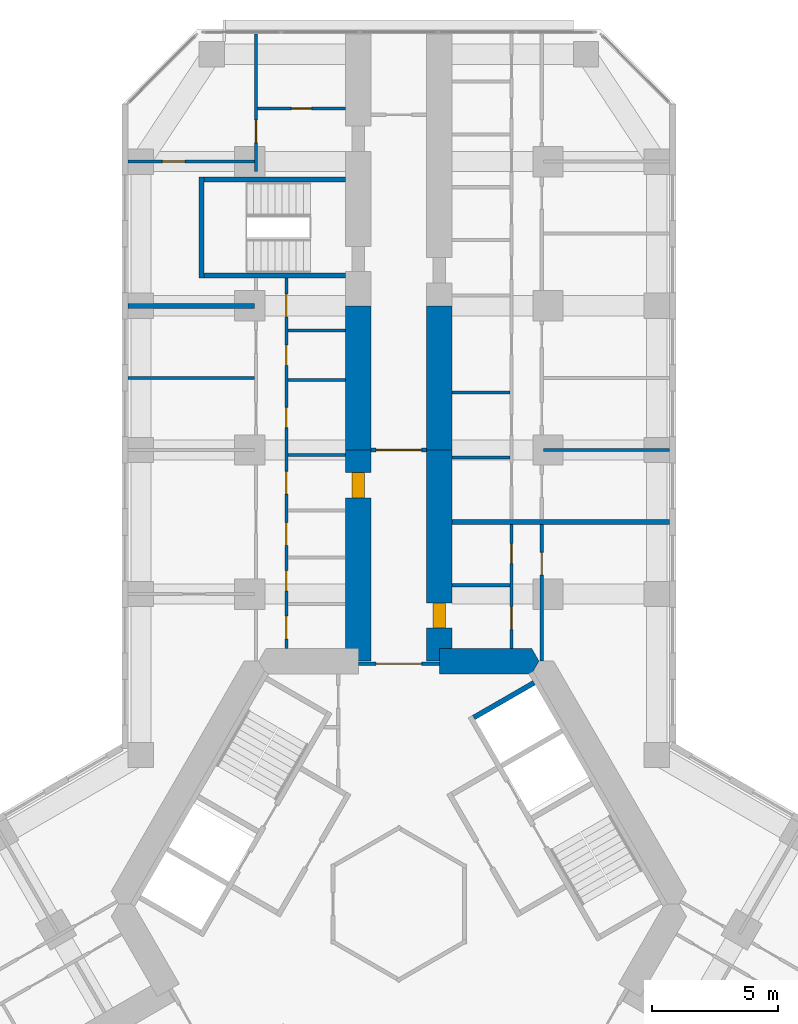
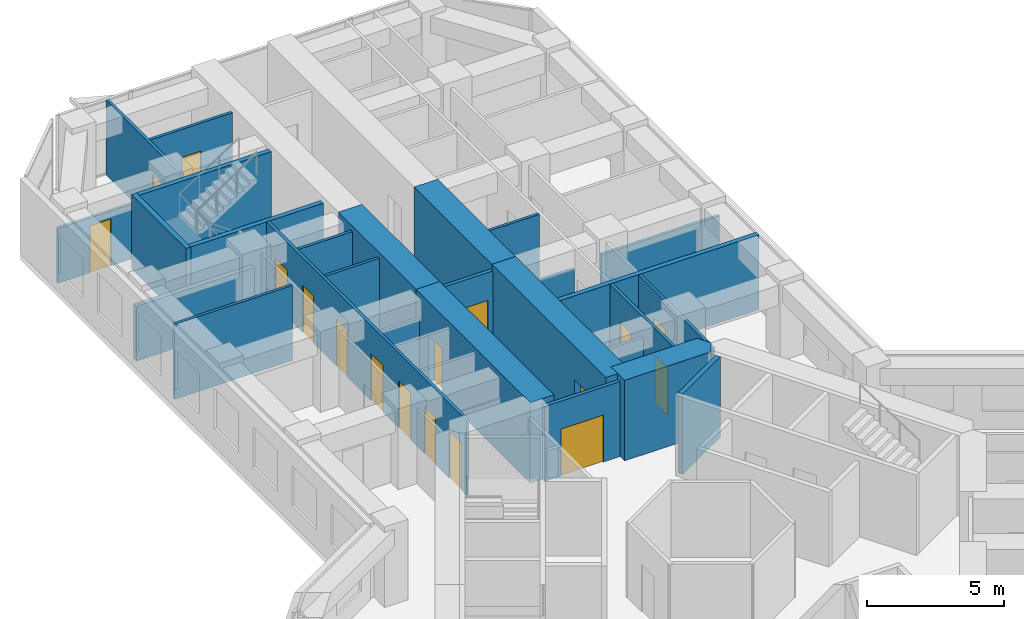
# One storey, part 18 of 21: 27 walls, 17 doors, 17 openings.
"""IFC4 building model written with IfcOpenShell, lengths in metres."""

import ifcopenshell
import ifcopenshell.guid

model = None  # the IFC model being written
_history = None  # IfcOwnerHistory: only IFC2X3 demands one
_inside = {}  # id of a spatial element -> (the spatial element, [elements in it])
_under = {}  # id of a project, library or spatial element -> (it, [spatial elements below it])
_declared = {}  # id of a project -> (the project, [libraries it declares])
_typed = {}  # id of a type object -> (the type object, [elements of that type])
_made_of = {}  # id of a material, layer set ... -> (it, [elements and type objects made of it])


def new_model(schema):
    """Start an empty IFC model of exactly this schema.

    Asked for "IFC4X3", IfcOpenShell would pick the latest addendum, in which some entities
    have other attributes; the version numbers below select the first issue.
    IFC2X3 requires an IfcOwnerHistory on every rooted entity: one is made here for all.
    """
    global model, _history
    if schema == "IFC4X3":
        model = ifcopenshell.file(schema_version=(4, 3, 0, 0))
    else:
        model = ifcopenshell.file(schema=schema)
    _inside.clear()
    _under.clear()
    _declared.clear()
    _typed.clear()
    _made_of.clear()
    _history = None
    if model.schema == "IFC2X3":
        org = make("IfcOrganization", Name="unknown")
        user = make(
            "IfcPersonAndOrganization",
            ThePerson=make("IfcPerson", FamilyName="unknown"),
            TheOrganization=org,
        )
        app = make(
            "IfcApplication",
            ApplicationDeveloper=org,
            Version="unknown",
            ApplicationFullName="unknown",
            ApplicationIdentifier="unknown",
        )
        _history = make(
            "IfcOwnerHistory",
            OwningUser=user,
            OwningApplication=app,
            ChangeAction="ADDED",
            CreationDate=0,
        )
    return model


def make(cls, **values):
    """One entity of the class cls with the attributes given. An attribute that is None is left unset."""
    return model.create_entity(
        cls, **{name: value for name, value in values.items() if value is not None}
    )


def rooted(cls, **values):
    """An entity with a GlobalId (a new one), such as an element, a storey or a relation."""
    return make(cls, GlobalId=ifcopenshell.guid.new(), OwnerHistory=_history, **values)


def si_unit(unit_type, name, prefix=None):
    """IfcSIUnit, for example si_unit("LENGTHUNIT", "METRE", prefix="MILLI")."""
    return make("IfcSIUnit", UnitType=unit_type, Prefix=prefix, Name=name)


def assignment(units):
    """IfcUnitAssignment: the units of a project."""
    return None if units is None else make("IfcUnitAssignment", Units=units)


def point(xyz):
    """IfcCartesianPoint."""
    return None if xyz is None else make("IfcCartesianPoint", Coordinates=xyz)


def direction(xyz):
    """IfcDirection."""
    return None if xyz is None else make("IfcDirection", DirectionRatios=xyz)


def frame(location, z_axis=None, x_axis=None):
    """IfcAxis2Placement3D, a coordinate frame: its origin and axes. An axis left out is left unset."""
    return make(
        "IfcAxis2Placement3D",
        Location=point(location),
        Axis=direction(z_axis),
        RefDirection=direction(x_axis),
    )


def frame_2d(location, x_axis=None):
    """IfcAxis2Placement2D, a coordinate frame in the plane: its origin and x axis."""
    return make(
        "IfcAxis2Placement2D", Location=point(location), RefDirection=direction(x_axis)
    )


def origin():
    """The frame at (0, 0, 0) with its axes left unset."""
    return frame((0.0, 0.0, 0.0))


def place(relative_to, where):
    """IfcLocalPlacement: puts the frame where relative to a parent placement (None: the world)."""
    return make(
        "IfcLocalPlacement", PlacementRelTo=relative_to, RelativePlacement=where
    )


def context(
    kind, dimensions, precision=None, world=None, true_north=None, identifier=None
):
    """IfcGeometricRepresentationContext, for example the 3D "Model" context."""
    return make(
        "IfcGeometricRepresentationContext",
        ContextIdentifier=identifier,
        ContextType=kind,
        CoordinateSpaceDimension=dimensions,
        Precision=precision,
        WorldCoordinateSystem=world,
        TrueNorth=true_north,
    )


def subcontext(parent, identifier, kind, view, scale=None):
    """IfcGeometricRepresentationSubContext, for example "Body" below "Model"."""
    return make(
        "IfcGeometricRepresentationSubContext",
        ContextIdentifier=identifier,
        ContextType=kind,
        ParentContext=parent,
        TargetScale=scale,
        TargetView=view,
    )


def project(units=None, contexts=None):
    """IfcProject with its units and contexts."""
    return rooted(
        "IfcProject",
        Name="project",
        RepresentationContexts=contexts,
        UnitsInContext=assignment(units),
    )


def spatial(cls, under=None, at=None, **own):
    """A site, building, storey or space (cls), placed at a placement, below another one or the project."""
    s = rooted(cls, ObjectPlacement=at, **own)
    if under is not None:
        _under.setdefault(under.id(), (under, []))[1].append(s)
    return s


def polyline(points):
    """IfcPolyline through the points."""
    return make("IfcPolyline", Points=[point(p) for p in points])


def profile(cls, at=None, kind="AREA", **sizes):
    """A parametric profile (cls). Its sizes go by their IFC names, for example OverallWidth=200.0."""
    return make(cls, ProfileType=kind, Position=at, **sizes)


def rectangle(**sizes):
    """IfcRectangleProfileDef."""
    return profile("IfcRectangleProfileDef", **sizes)


def outline(outer, holes=None, kind="AREA"):
    """IfcArbitraryClosedProfileDef: a profile drawn as a closed curve; with holes, ...WithVoids."""
    if holes is None:
        return make("IfcArbitraryClosedProfileDef", ProfileType=kind, OuterCurve=outer)
    return make(
        "IfcArbitraryProfileDefWithVoids",
        ProfileType=kind,
        OuterCurve=outer,
        InnerCurves=holes,
    )


def extrude(swept, where, along, depth):
    """IfcExtrudedAreaSolid: the profile swept, set in the frame where, extruded along a direction by depth."""
    return make(
        "IfcExtrudedAreaSolid",
        SweptArea=swept,
        Position=where,
        ExtrudedDirection=direction(along),
        Depth=depth,
    )


def shape(context_of_items, identifier, shape_type, items):
    """IfcShapeRepresentation: the items that make up one representation, for example the "Body"."""
    return make(
        "IfcShapeRepresentation",
        ContextOfItems=context_of_items,
        RepresentationIdentifier=identifier,
        RepresentationType=shape_type,
        Items=items,
    )


def material(Name=None, Category=None):
    """IfcMaterial."""
    return make("IfcMaterial", Name=Name, Category=Category)


def layer(
    of_material, thickness, ventilated=None, Name=None, Category=None, Priority=None
):
    """IfcMaterialLayer: one layer of a wall or slab, of a material (None: an air gap)."""
    return make(
        "IfcMaterialLayer",
        Material=of_material,
        LayerThickness=thickness,
        IsVentilated=ventilated,
        Name=Name,
        Category=Category,
        Priority=Priority,
    )


def layer_set(layers, Name=None):
    """IfcMaterialLayerSet."""
    return make("IfcMaterialLayerSet", MaterialLayers=layers, LayerSetName=Name)


def made_of(thing, what):
    """Note that an element or type object is made of a material, layer set ...; save() writes the relation."""
    if what is not None:
        _made_of.setdefault(what.id(), (what, []))[1].append(thing)
    return thing


def type_object(cls, material=None, **own):
    """A type object (cls), such as IfcWallType, which elements share."""
    return made_of(rooted(cls, **own), material)


def element(
    cls,
    number,
    at=None,
    inside=None,
    cuts=None,
    type_object=None,
    material=None,
    context=None,
    identifier="Body",
    shape_type=None,
    held_by="IfcProductDefinitionShape",
    body=None,
    shapes=None,
    **own,
):
    """One element of the class cls, such as IfcWall. Its Tag is "e" and its number.

    at: its placement. inside: the storey or other place that contains it. cuts: it is an
    opening in that element (IfcRelVoidsElement). A single representation is given by context,
    identifier, shape_type and body (its items); several are given by shapes. held_by: the class
    of the entity that holds the representations. save() writes the other relations.
    """
    e = rooted(cls, Tag="e%d" % number, ObjectPlacement=at, **own)
    if body is not None:
        shapes = [shape(context, identifier, shape_type, body)]
    if shapes is not None:
        e.Representation = make(held_by, Representations=shapes)
    if inside is not None:
        _inside.setdefault(inside.id(), (inside, []))[1].append(e)
    if cuts is not None:
        rooted(
            "IfcRelVoidsElement", RelatingBuildingElement=cuts, RelatedOpeningElement=e
        )
    if type_object is not None:
        _typed.setdefault(type_object.id(), (type_object, []))[1].append(e)
    return made_of(e, material)


def fill(opening, filler):
    """IfcRelFillsElement: the door or window that sits in an opening."""
    return rooted(
        "IfcRelFillsElement",
        RelatingOpeningElement=opening,
        RelatedBuildingElement=filler,
    )


def aggregate(whole, parts):
    """IfcRelAggregates: a whole, such as a stair, and the parts it consists of."""
    return rooted("IfcRelAggregates", RelatingObject=whole, RelatedObjects=parts)


def save(model, path):
    """Write the relations noted so far, then the file.

    IfcRelAggregates (storeys below a building ...), IfcRelContainedInSpatialStructure (elements
    in a storey), IfcRelDefinesByType, IfcRelAssociatesMaterial and IfcRelDeclares: one each for
    every whole, place, type object, material and project.
    """
    for whole, parts in _under.values():
        aggregate(whole, parts)
    for where, things in _inside.values():
        rooted(
            "IfcRelContainedInSpatialStructure",
            RelatedElements=things,
            RelatingStructure=where,
        )
    for kind, things in _typed.values():
        rooted("IfcRelDefinesByType", RelatedObjects=things, RelatingType=kind)
    for what, things in _made_of.values():
        rooted("IfcRelAssociatesMaterial", RelatedObjects=things, RelatingMaterial=what)
    for by, libraries in _declared.values():
        rooted("IfcRelDeclares", RelatingContext=by, RelatedDefinitions=libraries)
    model.write(path)


model = new_model("IFC4")

# Units and contexts
model_context = context("Model", 3, precision=1e-05, world=origin(), true_north=direction((0.0, 1.0)))
body_context = subcontext(model_context, "Body", "Model", "MODEL_VIEW")
ifc_project = project(units=[si_unit("LENGTHUNIT", "METRE"), si_unit("AREAUNIT", "SQUARE_METRE"), si_unit("VOLUMEUNIT", "CUBIC_METRE"), si_unit("PLANEANGLEUNIT", "RADIAN"), si_unit("MASSUNIT", "GRAM", prefix="KILO")], contexts=[model_context])

# Site, building, storey
site_placement = place(None, origin())
site = spatial("IfcSite", under=ifc_project, at=site_placement, CompositionType="ELEMENT")
building_placement = place(site_placement, origin())
building = spatial("IfcBuilding", under=site, at=building_placement, Name="Kosmar Iwan School Tower", CompositionType="ELEMENT")
storey_placement = place(building_placement, frame((0.0, 0.0, 61.0)))
storey = spatial("IfcBuildingStorey", under=building, at=storey_placement, Name="L14", CompositionType="ELEMENT", Elevation=61.0)

# Wall
ifc_material_1 = material(Name="Concrete C50/60", Category="concrete")
ifc_layer_1 = layer(ifc_material_1, 1.0)
ifc_layer_set_1 = layer_set([ifc_layer_1], Name="Core wall 1000")
wall_type_1 = type_object("IfcWallType", Name="Core wall 1000", PredefinedType="SHEAR", material=ifc_layer_set_1)
wall_1_placement = place(storey_placement, origin())
element("IfcWall", 1, at=wall_1_placement, inside=storey, type_object=wall_type_1, Name="Core wall F090a", PredefinedType="SHEAR", context=body_context, shape_type="SweptSolid", body=[
    extrude(outline(polyline([(1.60009765625, 9.10009765625), (5.25390625, 9.10009765625), (5.54248046875, 9.60009765625), (5.25390625, 10.10009765625), (1.60009765625, 10.10009765625), (1.60009765625, 9.10009765625)])), origin(), (0.0, 0.0, 1.0), 3.60009765625),
])

# Wall, opening, door
ifc_material_2 = material(Name="Concrete C50/60", Category="concrete")
ifc_layer_2 = layer(ifc_material_2, 1.0)
ifc_layer_set_2 = layer_set([ifc_layer_2], Name="Corridor buttress wall 1000")
wall_type_2 = type_object("IfcWallType", Name="Corridor buttress wall 1000", PredefinedType="SHEAR", material=ifc_layer_set_2)
wall_2_placement = place(storey_placement, frame((-1.60009765625, 9.60009765625, 0.0), z_axis=(0.0, 0.0, 1.0), x_axis=(0.0, 1.0, 0.0)))
wall_2 = element("IfcWall", 2, at=wall_2_placement, inside=storey, type_object=wall_type_2, Name="Corridor wall AL", PredefinedType="SHEAR", context=body_context, shape_type="SweptSolid", body=[
    extrude(rectangle(XDim=8.349853515625, YDim=1.0, at=frame_2d((4.1748046875, 0.0))), origin(), (0.0, 0.0, 1.0), 3.60009765625),
])
opening_1_placement = place(wall_2_placement, frame((6.449951171875, 0.0, 0.0)))
opening_1 = element("IfcOpeningElement", 3, at=opening_1_placement, cuts=wall_2, Name="Opening D1", PredefinedType="OPENING", context=body_context, shape_type="SweptSolid", body=[
    extrude(rectangle(XDim=1.0, YDim=2.10009765625, at=frame_2d((0.5, 1.050048828125))), frame((0.0, 0.511962890625, 0.0), z_axis=(0.0, -1.0, 0.0), x_axis=(1.0, 0.0, 0.0)), (0.0, 0.0, 1.0), 1.02392578125),
])
ifc_material_3 = material(Name="Timber fire door in steel frame", Category="steel")
door_type_1 = type_object("IfcDoorType", Name="Flat entrance door 1000x2100", OperationType="SINGLE_SWING_LEFT", PredefinedType="DOOR", material=ifc_material_3)
door_1_placement = place(opening_1_placement, origin())
door_1 = element("IfcDoor", 4, at=door_1_placement, inside=storey, type_object=door_type_1, Name="Flat L14-AL1 entrance door", OperationType="SINGLE_SWING_LEFT", OverallHeight=2.10009765625, OverallWidth=1.0, PredefinedType="DOOR", context=body_context, shape_type="SweptSolid", body=[
    extrude(rectangle(XDim=1.0, YDim=2.10009765625, at=frame_2d((0.5, 1.050048828125))), frame((0.0, 0.25, 0.0), z_axis=(0.0, -1.0, 0.0), x_axis=(1.0, 0.0, 0.0)), (0.0, 0.0, 1.0), 0.5),
])
fill(opening_1, door_1)

# Wall
wall_3_placement = place(storey_placement, frame((-1.60009765625, 17.949951171875, 0.0), z_axis=(0.0, 0.0, 1.0), x_axis=(0.0, 1.0, 0.0)))
element("IfcWall", 5, at=wall_3_placement, inside=storey, type_object=wall_type_2, Name="Corridor wall AL bay 2", PredefinedType="SHEAR", context=body_context, shape_type="SweptSolid", body=[
    extrude(rectangle(XDim=5.699951171875, YDim=1.0, at=frame_2d((2.85009765625, 0.0))), origin(), (0.0, 0.0, 1.0), 3.60009765625),
])

# Wall, opening, door
wall_4_placement = place(storey_placement, frame((1.60009765625, 9.60009765625, 0.0), z_axis=(0.0, 0.0, 1.0), x_axis=(0.0, 1.0, 0.0)))
wall_4 = element("IfcWall", 6, at=wall_4_placement, inside=storey, type_object=wall_type_2, Name="Corridor wall AR", PredefinedType="SHEAR", context=body_context, shape_type="SweptSolid", body=[
    extrude(rectangle(XDim=8.349853515625, YDim=1.0, at=frame_2d((4.1748046875, 0.0))), origin(), (0.0, 0.0, 1.0), 3.60009765625),
])
opening_2_placement = place(wall_4_placement, frame((1.300048828125, 0.0, 0.0)))
opening_2 = element("IfcOpeningElement", 7, at=opening_2_placement, cuts=wall_4, Name="Opening D1", PredefinedType="OPENING", context=body_context, shape_type="SweptSolid", body=[
    extrude(rectangle(XDim=1.0, YDim=2.10009765625, at=frame_2d((0.5, 1.050048828125))), frame((0.0, 0.511962890625, 0.0), z_axis=(0.0, -1.0, 0.0), x_axis=(1.0, 0.0, 0.0)), (0.0, 0.0, 1.0), 1.02392578125),
])
door_2_placement = place(opening_2_placement, origin())
door_2 = element("IfcDoor", 8, at=door_2_placement, inside=storey, type_object=door_type_1, Name="Flat L14-AR1 entrance door", OperationType="SINGLE_SWING_LEFT", OverallHeight=2.10009765625, OverallWidth=1.0, PredefinedType="DOOR", context=body_context, shape_type="SweptSolid", body=[
    extrude(rectangle(XDim=1.0, YDim=2.10009765625, at=frame_2d((0.5, 1.050048828125))), frame((0.0, 0.25, 0.0), z_axis=(0.0, -1.0, 0.0), x_axis=(1.0, 0.0, 0.0)), (0.0, 0.0, 1.0), 0.5),
])
fill(opening_2, door_2)

# Wall
wall_5_placement = place(storey_placement, frame((1.60009765625, 17.949951171875, 0.0), z_axis=(0.0, 0.0, 1.0), x_axis=(0.0, 1.0, 0.0)))
element("IfcWall", 9, at=wall_5_placement, inside=storey, type_object=wall_type_2, Name="Corridor wall AR bay 2", PredefinedType="SHEAR", context=body_context, shape_type="SweptSolid", body=[
    extrude(rectangle(XDim=5.699951171875, YDim=1.0, at=frame_2d((2.85009765625, 0.0))), origin(), (0.0, 0.0, 1.0), 3.60009765625),
])

# Wall, opening, door
ifc_material_4 = material(Name="Gypsum board on steel studs, fire-rated", Category="steel")
ifc_layer_3 = layer(ifc_material_4, 0.14990234375)
ifc_layer_set_3 = layer_set([ifc_layer_3], Name="Corridor end wall 150")
wall_type_3 = type_object("IfcWallType", Name="Corridor end wall 150", PredefinedType="PARTITIONING", material=ifc_layer_set_3)
wall_6_placement = place(storey_placement, frame((1.10009765625, 17.949951171875, 0.0), z_axis=(0.0, 0.0, 1.0), x_axis=(-1.0, 0.0, 0.0)))
wall_6 = element("IfcWall", 10, at=wall_6_placement, inside=storey, type_object=wall_type_3, Name="Partition L14-A-HW", PredefinedType="PARTITIONING", context=body_context, shape_type="SweptSolid", body=[
    extrude(rectangle(XDim=2.2001953125, YDim=0.14990234375, at=frame_2d((1.10009765625, 0.0))), origin(), (0.0, 0.0, 1.0), 3.35009765625),
])
opening_3_placement = place(wall_6_placement, frame((0.199951171875, 0.0, 0.0)))
opening_3 = element("IfcOpeningElement", 11, at=opening_3_placement, cuts=wall_6, Name="Opening D9", PredefinedType="OPENING", context=body_context, shape_type="SweptSolid", body=[
    extrude(rectangle(XDim=1.800048828125, YDim=2.10009765625, at=frame_2d((0.89990234375, 1.050048828125))), frame((0.0, 0.0869140625, 0.0), z_axis=(0.0, -1.0, 0.0), x_axis=(1.0, 0.0, 0.0)), (0.0, 0.0, 1.0), 0.173828125),
])
ifc_material_5 = material(Name="Steel framed glazed smoke door", Category="steel")
door_type_2 = type_object("IfcDoorType", Name="Corridor smoke door pair 1800x2100", OperationType="DOUBLE_DOOR_DOUBLE_SWING", PredefinedType="DOOR", material=ifc_material_5)
door_3_placement = place(opening_3_placement, origin())
door_3 = element("IfcDoor", 12, at=door_3_placement, inside=storey, type_object=door_type_2, Name="Entrance vestibule smoke doors L14-A", OperationType="DOUBLE_DOOR_DOUBLE_SWING", OverallHeight=2.10009765625, OverallWidth=1.800048828125, PredefinedType="DOOR", context=body_context, shape_type="SweptSolid", body=[
    extrude(rectangle(XDim=1.800048828125, YDim=2.10009765625, at=frame_2d((0.89990234375, 1.050048828125))), frame((0.0, 0.02490234375, 0.0), z_axis=(0.0, -1.0, 0.0), x_axis=(1.0, 0.0, 0.0)), (0.0, 0.0, 1.0), 0.050048828125),
])
fill(opening_3, door_3)

ifc_material_6 = material(Name="Steel framed glazed screen", Category="steel")
ifc_layer_4 = layer(ifc_material_6, 0.14990234375)
ifc_layer_set_4 = layer_set([ifc_layer_4], Name="Corridor screen wall 150")
wall_type_4 = type_object("IfcWallType", Name="Corridor screen wall 150", PredefinedType="PARTITIONING", material=ifc_layer_set_4)
wall_7_placement = place(storey_placement, frame((1.60009765625, 9.5, 0.0), z_axis=(0.0, 0.0, 1.0), x_axis=(-1.0, 0.0, 0.0)))
wall_7 = element("IfcWall", 13, at=wall_7_placement, inside=storey, type_object=wall_type_4, Name="Corridor screen A L14", PredefinedType="PARTITIONING", context=body_context, shape_type="SweptSolid", body=[
    extrude(rectangle(XDim=3.2001953125, YDim=0.14990234375, at=frame_2d((1.60009765625, 0.0))), origin(), (0.0, 0.0, 1.0), 3.35009765625),
])
opening_4_placement = place(wall_7_placement, frame((0.699951171875, 0.0, 0.0)))
opening_4 = element("IfcOpeningElement", 14, at=opening_4_placement, cuts=wall_7, Name="Opening D9", PredefinedType="OPENING", context=body_context, shape_type="SweptSolid", body=[
    extrude(rectangle(XDim=1.800048828125, YDim=2.10009765625, at=frame_2d((0.89990234375, 1.050048828125))), frame((0.0, 0.0869140625, 0.0), z_axis=(0.0, -1.0, 0.0), x_axis=(1.0, 0.0, 0.0)), (0.0, 0.0, 1.0), 0.173828125),
])
door_4_placement = place(opening_4_placement, origin())
door_4 = element("IfcDoor", 15, at=door_4_placement, inside=storey, type_object=door_type_2, Name="Corridor doors A L14", OperationType="DOUBLE_DOOR_DOUBLE_SWING", OverallHeight=2.10009765625, OverallWidth=1.800048828125, PredefinedType="DOOR", context=body_context, shape_type="SweptSolid", body=[
    extrude(rectangle(XDim=1.800048828125, YDim=2.10009765625, at=frame_2d((0.89990234375, 1.050048828125))), frame((0.0, 0.02490234375, 0.0), z_axis=(0.0, -1.0, 0.0), x_axis=(1.0, 0.0, 0.0)), (0.0, 0.0, 1.0), 0.050048828125),
])
fill(opening_4, door_4)

# Wall, openings, doors
ifc_material_7 = material(Name="Gypsum board on steel studs", Category="steel")
ifc_layer_5 = layer(ifc_material_7, 0.1201171875)
ifc_layer_set_5 = layer_set([ifc_layer_5], Name="Dwelling partition 120")
wall_type_5 = type_object("IfcWallType", Name="Dwelling partition 120", PredefinedType="PARTITIONING", material=ifc_layer_set_5)
wall_8_placement = place(storey_placement, frame((-4.449951171875, 10.10009765625, 0.0), z_axis=(0.0, 0.0, 1.0), x_axis=(0.0, 1.0, 0.0)))
wall_8 = element("IfcWall", 16, at=wall_8_placement, inside=storey, type_object=wall_type_5, Name="Partition L14-AL1-W1", PredefinedType="PARTITIONING", context=body_context, shape_type="SweptSolid", body=[
    extrude(rectangle(XDim=14.64990234375, YDim=0.1201171875, at=frame_2d((7.324951171875, 0.0))), origin(), (0.0, 0.0, 1.0), 3.35009765625),
])
opening_5_placement = place(wall_8_placement, frame((0.375, 0.0, 0.0)))
opening_5 = element("IfcOpeningElement", 17, at=opening_5_placement, cuts=wall_8, Name="Opening D2", PredefinedType="OPENING", context=body_context, shape_type="SweptSolid", body=[
    extrude(rectangle(XDim=0.89990234375, YDim=2.10009765625, at=frame_2d((0.449951171875, 1.050048828125))), frame((0.0, 0.072021484375, 0.0), z_axis=(0.0, -1.0, 0.0), x_axis=(1.0, 0.0, 0.0)), (0.0, 0.0, 1.0), 0.14404296875),
])
opening_6_placement = place(wall_8_placement, frame((2.27490234375, 0.0, 0.0)))
opening_6 = element("IfcOpeningElement", 18, at=opening_6_placement, cuts=wall_8, Name="Opening D3", PredefinedType="OPENING", context=body_context, shape_type="SweptSolid", body=[
    extrude(rectangle(XDim=0.800048828125, YDim=2.10009765625, at=frame_2d((0.39990234375, 1.050048828125))), frame((0.0, 0.072021484375, 0.0), z_axis=(0.0, -1.0, 0.0), x_axis=(1.0, 0.0, 0.0)), (0.0, 0.0, 1.0), 0.14404296875),
])
opening_7_placement = place(wall_8_placement, frame((4.074951171875, 0.0, 0.0)))
opening_7 = element("IfcOpeningElement", 19, at=opening_7_placement, cuts=wall_8, Name="Opening D2", PredefinedType="OPENING", context=body_context, shape_type="SweptSolid", body=[
    extrude(rectangle(XDim=0.89990234375, YDim=2.10009765625, at=frame_2d((0.449951171875, 1.050048828125))), frame((0.0, 0.072021484375, 0.0), z_axis=(0.0, -1.0, 0.0), x_axis=(1.0, 0.0, 0.0)), (0.0, 0.0, 1.0), 0.14404296875),
])
opening_8_placement = place(wall_8_placement, frame((6.10009765625, 0.0, 0.0)))
opening_8 = element("IfcOpeningElement", 20, at=opening_8_placement, cuts=wall_8, Name="Opening D2", PredefinedType="OPENING", context=body_context, shape_type="SweptSolid", body=[
    extrude(rectangle(XDim=0.89990234375, YDim=2.10009765625, at=frame_2d((0.449951171875, 1.050048828125))), frame((0.0, 0.072021484375, 0.0), z_axis=(0.0, -1.0, 0.0), x_axis=(1.0, 0.0, 0.0)), (0.0, 0.0, 1.0), 0.14404296875),
])
opening_9_placement = place(wall_8_placement, frame((8.728515625, 0.0, 0.0)))
opening_9 = element("IfcOpeningElement", 21, at=opening_9_placement, cuts=wall_8, Name="Opening D3", PredefinedType="OPENING", context=body_context, shape_type="SweptSolid", body=[
    extrude(rectangle(XDim=0.800048828125, YDim=2.10009765625, at=frame_2d((0.39990234375, 1.050048828125))), frame((0.0, 0.072021484375, 0.0), z_axis=(0.0, -1.0, 0.0), x_axis=(1.0, 0.0, 0.0)), (0.0, 0.0, 1.0), 0.14404296875),
])
opening_10_placement = place(wall_8_placement, frame((11.19287109375, 0.0, 0.0)))
opening_10 = element("IfcOpeningElement", 22, at=opening_10_placement, cuts=wall_8, Name="Opening D3", PredefinedType="OPENING", context=body_context, shape_type="SweptSolid", body=[
    extrude(rectangle(XDim=0.800048828125, YDim=2.10009765625, at=frame_2d((0.39990234375, 1.050048828125))), frame((0.0, 0.072021484375, 0.0), z_axis=(0.0, -1.0, 0.0), x_axis=(1.0, 0.0, 0.0)), (0.0, 0.0, 1.0), 0.14404296875),
])
opening_11_placement = place(wall_8_placement, frame((13.1142578125, 0.0, 0.0)))
opening_11 = element("IfcOpeningElement", 23, at=opening_11_placement, cuts=wall_8, Name="Opening D2", PredefinedType="OPENING", context=body_context, shape_type="SweptSolid", body=[
    extrude(rectangle(XDim=0.89990234375, YDim=2.10009765625, at=frame_2d((0.449951171875, 1.050048828125))), frame((0.0, 0.072021484375, 0.0), z_axis=(0.0, -1.0, 0.0), x_axis=(1.0, 0.0, 0.0)), (0.0, 0.0, 1.0), 0.14404296875),
])
ifc_material_8 = material(Name="Timber door in timber frame", Category="wood")
door_type_3 = type_object("IfcDoorType", Name="Internal door 900x2100", OperationType="SINGLE_SWING_LEFT", PredefinedType="DOOR", material=ifc_material_8)
door_5_placement = place(opening_5_placement, origin())
door_5 = element("IfcDoor", 24, at=door_5_placement, inside=storey, type_object=door_type_3, Name="Dressing room door L14-AL1-S1", OperationType="SINGLE_SWING_LEFT", OverallHeight=2.10009765625, OverallWidth=0.89990234375, PredefinedType="DOOR", context=body_context, shape_type="SweptSolid", body=[
    extrude(rectangle(XDim=0.89990234375, YDim=2.10009765625, at=frame_2d((0.449951171875, 1.050048828125))), frame((0.0, 0.02490234375, 0.0), z_axis=(0.0, -1.0, 0.0), x_axis=(1.0, 0.0, 0.0)), (0.0, 0.0, 1.0), 0.050048828125),
])
fill(opening_5, door_5)
door_6_placement = place(opening_7_placement, origin())
door_6 = element("IfcDoor", 25, at=door_6_placement, inside=storey, type_object=door_type_3, Name="Pantry door L14-AL1-S3", OperationType="SINGLE_SWING_LEFT", OverallHeight=2.10009765625, OverallWidth=0.89990234375, PredefinedType="DOOR", context=body_context, shape_type="SweptSolid", body=[
    extrude(rectangle(XDim=0.89990234375, YDim=2.10009765625, at=frame_2d((0.449951171875, 1.050048828125))), frame((0.0, 0.02490234375, 0.0), z_axis=(0.0, -1.0, 0.0), x_axis=(1.0, 0.0, 0.0)), (0.0, 0.0, 1.0), 0.050048828125),
])
fill(opening_7, door_6)
door_7_placement = place(opening_8_placement, origin())
door_7 = element("IfcDoor", 26, at=door_7_placement, inside=storey, type_object=door_type_3, Name="Entrance hall door L14-AL1-S4", OperationType="SINGLE_SWING_LEFT", OverallHeight=2.10009765625, OverallWidth=0.89990234375, PredefinedType="DOOR", context=body_context, shape_type="SweptSolid", body=[
    extrude(rectangle(XDim=0.89990234375, YDim=2.10009765625, at=frame_2d((0.449951171875, 1.050048828125))), frame((0.0, 0.02490234375, 0.0), z_axis=(0.0, -1.0, 0.0), x_axis=(1.0, 0.0, 0.0)), (0.0, 0.0, 1.0), 0.050048828125),
])
fill(opening_8, door_7)
door_8_placement = place(opening_11_placement, frame((0.89990234375, 0.0, 0.0), z_axis=(0.0, 0.0, 1.0), x_axis=(-1.0, 0.0, 0.0)))
door_8 = element("IfcDoor", 27, at=door_8_placement, inside=storey, type_object=door_type_3, Name="Utility room door L14-AL1-S7", OperationType="SINGLE_SWING_LEFT", OverallHeight=2.10009765625, OverallWidth=0.89990234375, PredefinedType="DOOR", context=body_context, shape_type="SweptSolid", body=[
    extrude(rectangle(XDim=0.89990234375, YDim=2.10009765625, at=frame_2d((0.449951171875, 1.050048828125))), frame((0.0, 0.02490234375, 0.0), z_axis=(0.0, -1.0, 0.0), x_axis=(1.0, 0.0, 0.0)), (0.0, 0.0, 1.0), 0.050048828125),
])
fill(opening_11, door_8)
ifc_material_9 = material(Name="Timber door in timber frame", Category="wood")
door_type_4 = type_object("IfcDoorType", Name="Sanitary room door 800x2100", OperationType="SINGLE_SWING_LEFT", PredefinedType="DOOR", material=ifc_material_9)
door_9_placement = place(opening_6_placement, origin())
door_9 = element("IfcDoor", 28, at=door_9_placement, inside=storey, type_object=door_type_4, Name="Store door L14-AL1-S2", OperationType="SINGLE_SWING_LEFT", OverallHeight=2.10009765625, OverallWidth=0.800048828125, PredefinedType="DOOR", context=body_context, shape_type="SweptSolid", body=[
    extrude(rectangle(XDim=0.800048828125, YDim=2.10009765625, at=frame_2d((0.39990234375, 1.050048828125))), frame((0.0, 0.02490234375, 0.0), z_axis=(0.0, -1.0, 0.0), x_axis=(1.0, 0.0, 0.0)), (0.0, 0.0, 1.0), 0.050048828125),
])
fill(opening_6, door_9)
door_10_placement = place(opening_9_placement, origin())
door_10 = element("IfcDoor", 29, at=door_10_placement, inside=storey, type_object=door_type_4, Name="Bathroom door L14-AL1-S5", OperationType="SINGLE_SWING_RIGHT", OverallHeight=2.10009765625, OverallWidth=0.800048828125, PredefinedType="DOOR", context=body_context, shape_type="SweptSolid", body=[
    extrude(rectangle(XDim=0.800048828125, YDim=2.10009765625, at=frame_2d((0.39990234375, 1.050048828125))), frame((0.0, 0.02490234375, 0.0), z_axis=(0.0, -1.0, 0.0), x_axis=(1.0, 0.0, 0.0)), (0.0, 0.0, 1.0), 0.050048828125),
])
fill(opening_9, door_10)
door_11_placement = place(opening_10_placement, origin())
door_11 = element("IfcDoor", 30, at=door_11_placement, inside=storey, type_object=door_type_4, Name="WC door L14-AL1-S6", OperationType="SINGLE_SWING_RIGHT", OverallHeight=2.10009765625, OverallWidth=0.800048828125, PredefinedType="DOOR", context=body_context, shape_type="SweptSolid", body=[
    extrude(rectangle(XDim=0.800048828125, YDim=2.10009765625, at=frame_2d((0.39990234375, 1.050048828125))), frame((0.0, 0.02490234375, 0.0), z_axis=(0.0, -1.0, 0.0), x_axis=(1.0, 0.0, 0.0)), (0.0, 0.0, 1.0), 0.050048828125),
])
fill(opening_10, door_11)

# Walls
wall_9_placement = place(storey_placement, frame((-5.7099609375, 20.800048828125, 0.0), z_axis=(0.0, 0.0, 1.0), x_axis=(-1.0, 0.0, 0.0)))
element("IfcWall", 31, at=wall_9_placement, inside=storey, type_object=wall_type_5, Name="Partition L14-AL1-X3", PredefinedType="PARTITIONING", context=body_context, shape_type="SweptSolid", body=[
    extrude(rectangle(XDim=4.989990234375, YDim=0.1201171875, at=frame_2d((2.4951171875, 0.0))), origin(), (0.0, 0.0, 1.0), 3.35009765625),
])
wall_10_placement = place(storey_placement, frame((-2.10009765625, 17.75, 0.0), z_axis=(0.0, 0.0, 1.0), x_axis=(-1.0, 0.0, 0.0)))
element("IfcWall", 32, at=wall_10_placement, inside=storey, type_object=wall_type_5, Name="Partition L14-AL1-Y4", PredefinedType="PARTITIONING", context=body_context, shape_type="SweptSolid", body=[
    extrude(rectangle(XDim=2.289794921875, YDim=0.1201171875, at=frame_2d((1.14501953125, 0.0))), origin(), (0.0, 0.0, 1.0), 2.449951171875),
])
for number, where, z_axis, x_axis, name in (
    (33, (-2.10009765625, 20.70703125, 0.0), (0.0, 0.0, 1.0), (-1.0, 0.0, 0.0), "Partition L14-AL1-Y5"),
    (34, (-2.10009765625, 22.678466796875, 0.0), (0.0, 0.0, 1.0), (-1.0, 0.0, 0.0), "Partition L14-AL1-Y6"),
):
    element("IfcWall", number, at=place(storey_placement, frame(where, z_axis=z_axis, x_axis=x_axis)), inside=storey, type_object=wall_type_5, Name=name, PredefinedType="PARTITIONING", context=body_context, shape_type="SweptSolid", body=[
        extrude(rectangle(XDim=2.289794921875, YDim=0.1201171875, at=frame_2d((1.14501953125, 0.0))), origin(), (0.0, 0.0, 1.0), 3.35009765625),
    ])

# Wall, opening, door
wall_11_placement = place(storey_placement, frame((-5.7099609375, 29.35009765625, 0.0), z_axis=(0.0, 0.0, 1.0), x_axis=(-1.0, 0.0, 0.0)))
wall_11 = element("IfcWall", 35, at=wall_11_placement, inside=storey, type_object=wall_type_5, Name="Partition L14-AL2-TX", PredefinedType="PARTITIONING", context=body_context, shape_type="SweptSolid", body=[
    extrude(rectangle(XDim=4.989990234375, YDim=0.1201171875, at=frame_2d((2.4951171875, 0.0))), origin(), (0.0, 0.0, 1.0), 2.449951171875),
])
opening_12_placement = place(wall_11_placement, frame((2.739990234375, 0.0, 0.0)))
opening_12 = element("IfcOpeningElement", 36, at=opening_12_placement, cuts=wall_11, Name="Opening D2", PredefinedType="OPENING", context=body_context, shape_type="SweptSolid", body=[
    extrude(rectangle(XDim=0.89990234375, YDim=2.10009765625, at=frame_2d((0.449951171875, 1.050048828125))), frame((0.0, 0.072021484375, 0.0), z_axis=(0.0, -1.0, 0.0), x_axis=(1.0, 0.0, 0.0)), (0.0, 0.0, 1.0), 0.14404296875),
])
door_12_placement = place(opening_12_placement, origin())
door_12 = element("IfcDoor", 37, at=door_12_placement, inside=storey, type_object=door_type_3, Name="Bedroom 1 door L14-AL2-T1", OperationType="SINGLE_SWING_RIGHT", OverallHeight=2.10009765625, OverallWidth=0.89990234375, PredefinedType="DOOR", context=body_context, shape_type="SweptSolid", body=[
    extrude(rectangle(XDim=0.89990234375, YDim=2.10009765625, at=frame_2d((0.449951171875, 1.050048828125))), frame((0.0, 0.02490234375, 0.0), z_axis=(0.0, -1.0, 0.0), x_axis=(1.0, 0.0, 0.0)), (0.0, 0.0, 1.0), 0.050048828125),
])
fill(opening_12, door_12)

wall_12_placement = place(storey_placement, frame((-5.64990234375, 28.949951171875, 0.0), z_axis=(0.0, 0.0, 1.0), x_axis=(0.0, 1.0, 0.0)))
wall_12 = element("IfcWall", 38, at=wall_12_placement, inside=storey, type_object=wall_type_5, Name="Partition L14-AL2-TW", PredefinedType="PARTITIONING", context=body_context, shape_type="SweptSolid", body=[
    extrude(rectangle(XDim=5.445068359375, YDim=0.1201171875, at=frame_2d((2.72265625, 0.0))), origin(), (0.0, 0.0, 1.0), 3.35009765625),
])
opening_13_placement = place(wall_12_placement, frame((1.14990234375, 0.0, 0.0)))
opening_13 = element("IfcOpeningElement", 39, at=opening_13_placement, cuts=wall_12, Name="Opening D2", PredefinedType="OPENING", context=body_context, shape_type="SweptSolid", body=[
    extrude(rectangle(XDim=0.89990234375, YDim=2.10009765625, at=frame_2d((0.449951171875, 1.050048828125))), frame((0.0, 0.072021484375, 0.0), z_axis=(0.0, -1.0, 0.0), x_axis=(1.0, 0.0, 0.0)), (0.0, 0.0, 1.0), 0.14404296875),
])
door_13_placement = place(opening_13_placement, origin())
door_13 = element("IfcDoor", 40, at=door_13_placement, inside=storey, type_object=door_type_3, Name="Entrance hall door L14-AL2-T3", OperationType="SINGLE_SWING_LEFT", OverallHeight=2.10009765625, OverallWidth=0.89990234375, PredefinedType="DOOR", context=body_context, shape_type="SweptSolid", body=[
    extrude(rectangle(XDim=0.89990234375, YDim=2.10009765625, at=frame_2d((0.449951171875, 1.050048828125))), frame((0.0, 0.02490234375, 0.0), z_axis=(0.0, -1.0, 0.0), x_axis=(1.0, 0.0, 0.0)), (0.0, 0.0, 1.0), 0.050048828125),
])
fill(opening_13, door_13)

wall_13_placement = place(storey_placement, frame((-2.10009765625, 31.449951171875, 0.0), z_axis=(0.0, 0.0, 1.0), x_axis=(-1.0, 0.0, 0.0)))
wall_13 = element("IfcWall", 41, at=wall_13_placement, inside=storey, type_object=wall_type_5, Name="Partition L14-AL2-TY", PredefinedType="PARTITIONING", context=body_context, shape_type="SweptSolid", body=[
    extrude(rectangle(XDim=3.489990234375, YDim=0.1201171875, at=frame_2d((1.7451171875, 0.0))), origin(), (0.0, 0.0, 1.0), 3.35009765625),
])
opening_14_placement = place(wall_13_placement, frame((1.344970703125, 0.0, 0.0)))
opening_14 = element("IfcOpeningElement", 42, at=opening_14_placement, cuts=wall_13, Name="Opening D3", PredefinedType="OPENING", context=body_context, shape_type="SweptSolid", body=[
    extrude(rectangle(XDim=0.800048828125, YDim=2.10009765625, at=frame_2d((0.39990234375, 1.050048828125))), frame((0.0, 0.072021484375, 0.0), z_axis=(0.0, -1.0, 0.0), x_axis=(1.0, 0.0, 0.0)), (0.0, 0.0, 1.0), 0.14404296875),
])
door_14_placement = place(opening_14_placement, origin())
door_14 = element("IfcDoor", 43, at=door_14_placement, inside=storey, type_object=door_type_4, Name="Bathroom door L14-AL2-T4", OperationType="SINGLE_SWING_RIGHT", OverallHeight=2.10009765625, OverallWidth=0.800048828125, PredefinedType="DOOR", context=body_context, shape_type="SweptSolid", body=[
    extrude(rectangle(XDim=0.800048828125, YDim=2.10009765625, at=frame_2d((0.39990234375, 1.050048828125))), frame((0.0, 0.02490234375, 0.0), z_axis=(0.0, -1.0, 0.0), x_axis=(1.0, 0.0, 0.0)), (0.0, 0.0, 1.0), 0.050048828125),
])
fill(opening_14, door_14)

# Wall, openings, doors
wall_14_placement = place(storey_placement, frame((4.449951171875, 10.10009765625, 0.0), z_axis=(0.0, 0.0, 1.0), x_axis=(0.0, 1.0, 0.0)))
wall_14 = element("IfcWall", 44, at=wall_14_placement, inside=storey, type_object=wall_type_5, Name="Partition L14-AR1-W1", PredefinedType="PARTITIONING", context=body_context, shape_type="SweptSolid", body=[
    extrude(rectangle(XDim=4.89990234375, YDim=0.1201171875, at=frame_2d((2.449951171875, 0.0))), origin(), (0.0, 0.0, 1.0), 3.35009765625),
])
opening_15_placement = place(wall_14_placement, frame((0.75, 0.0, 0.0)))
opening_15 = element("IfcOpeningElement", 45, at=opening_15_placement, cuts=wall_14, Name="Opening D2", PredefinedType="OPENING", context=body_context, shape_type="SweptSolid", body=[
    extrude(rectangle(XDim=0.89990234375, YDim=2.10009765625, at=frame_2d((0.449951171875, 1.050048828125))), frame((0.0, 0.072021484375, 0.0), z_axis=(0.0, -1.0, 0.0), x_axis=(1.0, 0.0, 0.0)), (0.0, 0.0, 1.0), 0.14404296875),
])
opening_16_placement = place(wall_14_placement, frame((3.35009765625, 0.0, 0.0)))
opening_16 = element("IfcOpeningElement", 46, at=opening_16_placement, cuts=wall_14, Name="Opening D3", PredefinedType="OPENING", context=body_context, shape_type="SweptSolid", body=[
    extrude(rectangle(XDim=0.800048828125, YDim=2.10009765625, at=frame_2d((0.39990234375, 1.050048828125))), frame((0.0, 0.072021484375, 0.0), z_axis=(0.0, -1.0, 0.0), x_axis=(1.0, 0.0, 0.0)), (0.0, 0.0, 1.0), 0.14404296875),
])
door_15_placement = place(opening_15_placement, origin())
door_15 = element("IfcDoor", 47, at=door_15_placement, inside=storey, type_object=door_type_3, Name="Entrance hall door L14-AR1-S1", OperationType="SINGLE_SWING_LEFT", OverallHeight=2.10009765625, OverallWidth=0.89990234375, PredefinedType="DOOR", context=body_context, shape_type="SweptSolid", body=[
    extrude(rectangle(XDim=0.89990234375, YDim=2.10009765625, at=frame_2d((0.449951171875, 1.050048828125))), frame((0.0, 0.02490234375, 0.0), z_axis=(0.0, -1.0, 0.0), x_axis=(1.0, 0.0, 0.0)), (0.0, 0.0, 1.0), 0.050048828125),
])
fill(opening_15, door_15)
door_16_placement = place(opening_16_placement, origin())
door_16 = element("IfcDoor", 48, at=door_16_placement, inside=storey, type_object=door_type_4, Name="Bathroom door L14-AR1-S2", OperationType="SINGLE_SWING_RIGHT", OverallHeight=2.10009765625, OverallWidth=0.800048828125, PredefinedType="DOOR", context=body_context, shape_type="SweptSolid", body=[
    extrude(rectangle(XDim=0.800048828125, YDim=2.10009765625, at=frame_2d((0.39990234375, 1.050048828125))), frame((0.0, 0.02490234375, 0.0), z_axis=(0.0, -1.0, 0.0), x_axis=(1.0, 0.0, 0.0)), (0.0, 0.0, 1.0), 0.050048828125),
])
fill(opening_16, door_16)

# Wall, opening, door
wall_15_placement = place(storey_placement, frame((5.64990234375, 9.60009765625, 0.0), z_axis=(0.0, 0.0, 1.0), x_axis=(0.0, 1.0, 0.0)))
wall_15 = element("IfcWall", 49, at=wall_15_placement, inside=storey, type_object=wall_type_5, Name="Partition L14-AR1-W2", PredefinedType="PARTITIONING", context=body_context, shape_type="SweptSolid", body=[
    extrude(rectangle(XDim=5.39990234375, YDim=0.1201171875, at=frame_2d((2.699951171875, 0.0))), origin(), (0.0, 0.0, 1.0), 3.35009765625),
])
opening_17_placement = place(wall_15_placement, frame((3.39990234375, 0.0, 0.0)))
opening_17 = element("IfcOpeningElement", 50, at=opening_17_placement, cuts=wall_15, Name="Opening D2", PredefinedType="OPENING", context=body_context, shape_type="SweptSolid", body=[
    extrude(rectangle(XDim=0.89990234375, YDim=2.10009765625, at=frame_2d((0.449951171875, 1.050048828125))), frame((0.0, 0.072021484375, 0.0), z_axis=(0.0, -1.0, 0.0), x_axis=(1.0, 0.0, 0.0)), (0.0, 0.0, 1.0), 0.14404296875),
])
door_17_placement = place(opening_17_placement, origin())
door_17 = element("IfcDoor", 51, at=door_17_placement, inside=storey, type_object=door_type_3, Name="Studio living room and kitchen door L14-AR1-F1", OperationType="SINGLE_SWING_RIGHT", OverallHeight=2.10009765625, OverallWidth=0.89990234375, PredefinedType="DOOR", context=body_context, shape_type="SweptSolid", body=[
    extrude(rectangle(XDim=0.89990234375, YDim=2.10009765625, at=frame_2d((0.449951171875, 1.050048828125))), frame((0.0, 0.02490234375, 0.0), z_axis=(0.0, -1.0, 0.0), x_axis=(1.0, 0.0, 0.0)), (0.0, 0.0, 1.0), 0.050048828125),
])
fill(opening_17, door_17)

# Walls
wall_16_placement = place(storey_placement, frame((2.10009765625, 12.60009765625, 0.0), z_axis=(0.0, 0.0, 1.0), x_axis=(1.0, 0.0, 0.0)))
element("IfcWall", 52, at=wall_16_placement, inside=storey, type_object=wall_type_5, Name="Partition L14-AR1-Y1", PredefinedType="PARTITIONING", context=body_context, shape_type="SweptSolid", body=[
    extrude(rectangle(XDim=2.289794921875, YDim=0.1201171875, at=frame_2d((1.14501953125, 0.0))), origin(), (0.0, 0.0, 1.0), 2.449951171875),
])
wall_17_placement = place(storey_placement, frame((5.7099609375, 17.949951171875, 0.0), z_axis=(0.0, 0.0, 1.0), x_axis=(1.0, 0.0, 0.0)))
element("IfcWall", 53, at=wall_17_placement, inside=storey, type_object=wall_type_5, Name="Partition L14-AR2-X1", PredefinedType="PARTITIONING", context=body_context, shape_type="SweptSolid", body=[
    extrude(rectangle(XDim=4.989990234375, YDim=0.1201171875, at=frame_2d((2.4951171875, 0.0))), origin(), (0.0, 0.0, 1.0), 2.449951171875),
])
wall_18_placement = place(storey_placement, frame((2.10009765625, 17.6572265625, 0.0), z_axis=(0.0, 0.0, 1.0), x_axis=(1.0, 0.0, 0.0)))
element("IfcWall", 54, at=wall_18_placement, inside=storey, type_object=wall_type_5, Name="Partition L14-AR2-Y1", PredefinedType="PARTITIONING", context=body_context, shape_type="SweptSolid", body=[
    extrude(rectangle(XDim=2.289794921875, YDim=0.1201171875, at=frame_2d((1.14501953125, 0.0))), origin(), (0.0, 0.0, 1.0), 2.449951171875),
])
wall_19_placement = place(storey_placement, frame((2.10009765625, 20.21435546875, 0.0), z_axis=(0.0, 0.0, 1.0), x_axis=(1.0, 0.0, 0.0)))
element("IfcWall", 55, at=wall_19_placement, inside=storey, type_object=wall_type_5, Name="Partition L14-AR2-Y2", PredefinedType="PARTITIONING", context=body_context, shape_type="SweptSolid", body=[
    extrude(rectangle(XDim=2.289794921875, YDim=0.1201171875, at=frame_2d((1.14501953125, 0.0))), origin(), (0.0, 0.0, 1.0), 3.35009765625),
])
ifc_material_10 = material(Name="Concrete C35/45", Category="concrete")
ifc_layer_6 = layer(ifc_material_10, 0.199951171875)
ifc_layer_set_6 = layer_set([ifc_layer_6], Name="Escape stair wall 200")
wall_type_6 = type_object("IfcWallType", Name="Escape stair wall 200", PredefinedType="SHEAR", material=ifc_layer_set_6)
for number, where, z_axis, x_axis, name in (
    (56, (-2.10009765625, 24.85009765625, 0.0), (0.0, 0.0, 1.0), (-1.0, 0.0, 0.0), "Stair WS1 wall"),
    (57, (-2.10009765625, 28.64990234375, 0.0), (0.0, 0.0, 1.0), (-1.0, 0.0, 0.0), "Stair WS1 wall"),
):
    element("IfcWall", number, at=place(storey_placement, frame(where, z_axis=z_axis, x_axis=x_axis)), inside=storey, type_object=wall_type_6, Name=name, PredefinedType="SHEAR", context=body_context, shape_type="SweptSolid", body=[
        extrude(rectangle(XDim=5.7998046875, YDim=0.199951171875, at=frame_2d((2.89990234375, 0.0))), origin(), (0.0, 0.0, 1.0), 3.330078125),
    ])
wall_20_placement = place(storey_placement, frame((-7.800048828125, 24.75, 0.0), z_axis=(0.0, 0.0, 1.0), x_axis=(0.0, 1.0, 0.0)))
element("IfcWall", 58, at=wall_20_placement, inside=storey, type_object=wall_type_6, Name="Stair WS1 wall", PredefinedType="SHEAR", context=body_context, shape_type="SweptSolid", body=[
    extrude(rectangle(XDim=4.0, YDim=0.199951171875, at=frame_2d((2.0, 0.0))), origin(), (0.0, 0.0, 1.0), 3.330078125),
])
ifc_material_11 = material(Name="Concrete C50/60", Category="concrete")
ifc_layer_7 = layer(ifc_material_11, 0.199951171875)
ifc_layer_set_7 = layer_set([ifc_layer_7], Name="Lift shaft wall 200")
wall_type_7 = type_object("IfcWallType", Name="Lift shaft wall 200", PredefinedType="SHEAR", material=ifc_layer_set_7)
wall_21_placement = place(storey_placement, frame((2.962646484375, 7.368408203125, 0.0), z_axis=(0.0, 0.0, 1.0), x_axis=(0.866027397988, 0.499996545922, 0.0)))
element("IfcWall", 59, at=wall_21_placement, inside=storey, type_object=wall_type_7, Name="Lift shaft wall AC 2", PredefinedType="SHEAR", context=body_context, shape_type="SweptSolid", body=[
    extrude(rectangle(XDim=2.75, YDim=0.199951171875, at=frame_2d((1.375, 0.0))), origin(), (0.0, 0.0, 1.0), 3.60009765625),
])
ifc_material_12 = material(Name="Concrete block masonry", Category="masonry")
ifc_layer_8 = layer(ifc_material_12, 0.199951171875)
ifc_layer_set_8 = layer_set([ifc_layer_8], Name="Party wall 200")
wall_type_8 = type_object("IfcWallType", Name="Party wall 200", PredefinedType="PARTITIONING", material=ifc_layer_set_8)
wall_22_placement = place(storey_placement, frame((-5.7099609375, 23.64990234375, 0.0), z_axis=(0.0, 0.0, 1.0), x_axis=(-1.0, 0.0, 0.0)))
element("IfcWall", 60, at=wall_22_placement, inside=storey, type_object=wall_type_8, Name="Partition L14-AL2-TB", PredefinedType="PARTITIONING", context=body_context, shape_type="SweptSolid", body=[
    extrude(rectangle(XDim=4.989990234375, YDim=0.199951171875, at=frame_2d((2.4951171875, 0.0))), origin(), (0.0, 0.0, 1.0), 2.449951171875),
])
wall_23_placement = place(storey_placement, frame((2.10009765625, 15.10009765625, 0.0), z_axis=(0.0, 0.0, 1.0), x_axis=(1.0, 0.0, 0.0)))
element("IfcWall", 61, at=wall_23_placement, inside=storey, type_object=wall_type_8, Name="Partition L14-AR2-PW", PredefinedType="PARTITIONING", context=body_context, shape_type="SweptSolid", body=[
    extrude(rectangle(XDim=8.599853515625, YDim=0.199951171875, at=frame_2d((4.2998046875, 0.0))), origin(), (0.0, 0.0, 1.0), 3.35009765625),
])

save(model, "model.ifc")
